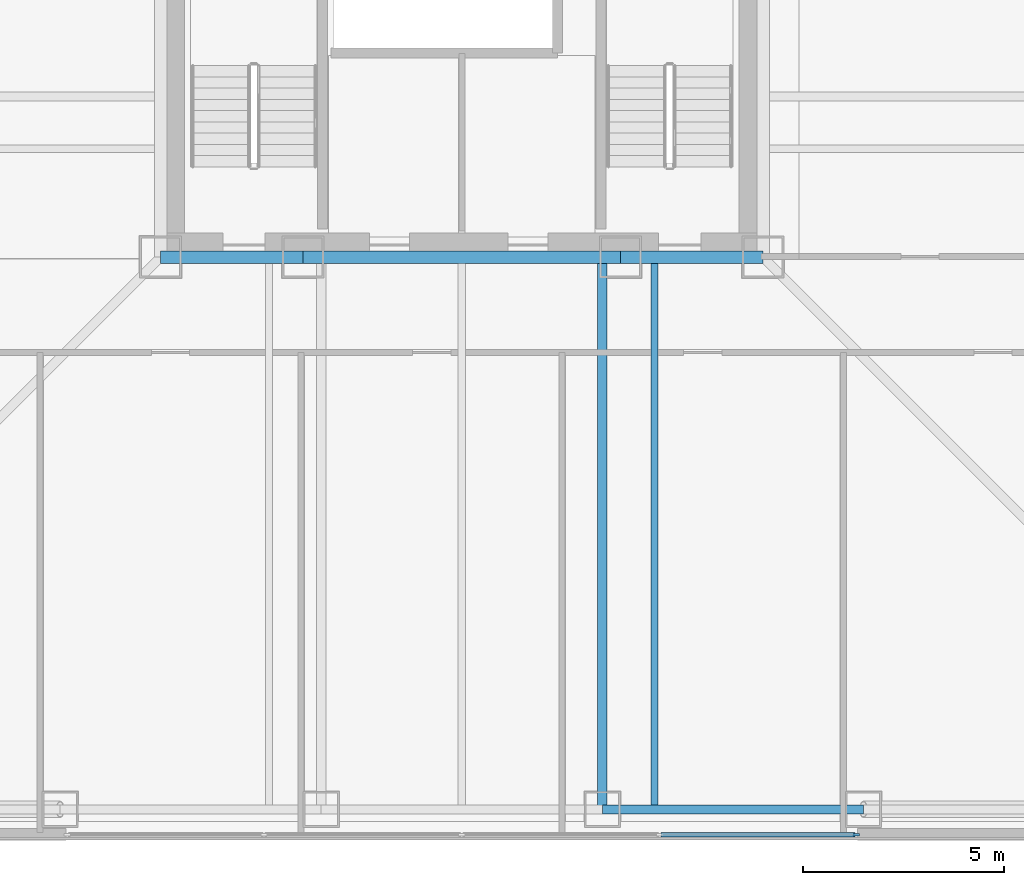
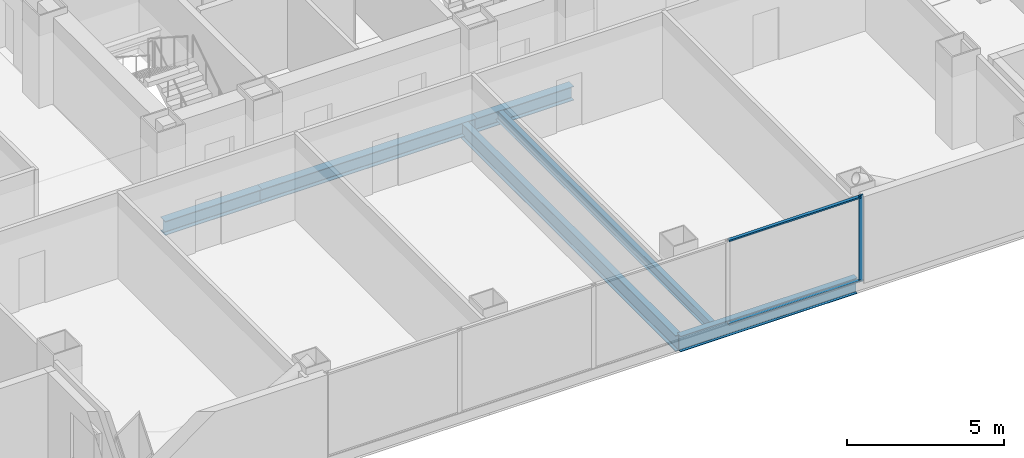
# One storey, part 3 of 13: 6 beams, 3 members, 1 element without a shape of its own.
"""IFC4 building model written with IfcOpenShell, lengths in metres."""

from ifc_helpers import new_model, si_unit, direction, frame, origin, origin_2d, place, context, subcontext, project, spatial, rectangle, i_section, extrude, material, layer, layer_set, material_profile, profile_set, type_object, element, aggregate, save


model = new_model("IFC4")

# Units and contexts
model_context = context("Model", 3, precision=1e-05, world=origin(), true_north=direction((0.0, 1.0)))
body_context = subcontext(model_context, "Body", "Model", "MODEL_VIEW")
ifc_project = project(units=[si_unit("LENGTHUNIT", "METRE"), si_unit("AREAUNIT", "SQUARE_METRE"), si_unit("VOLUMEUNIT", "CUBIC_METRE"), si_unit("PLANEANGLEUNIT", "RADIAN"), si_unit("MASSUNIT", "GRAM", prefix="KILO")], contexts=[model_context])

# Site, building, storey
site_placement = place(None, origin())
site = spatial("IfcSite", under=ifc_project, at=site_placement, CompositionType="ELEMENT")
building_placement = place(site_placement, origin())
building = spatial("IfcBuilding", under=site, at=building_placement, Name="Trevonay Congress Spire", CompositionType="ELEMENT")
storey_placement = place(building_placement, frame((0.0, 0.0, 112.0)))
storey = spatial("IfcBuildingStorey", under=building, at=storey_placement, Name="L28", CompositionType="ELEMENT", Elevation=112.0)

# Beams
ifc_material_1 = material(Name="Steel ASTM A572 Grade 50", Category="steel")
ifc_material_profile_1 = material_profile(ifc_material_1, i_section(OverallWidth=0.31201171875, OverallDepth=0.54296875, WebThickness=0.0126953125, FlangeThickness=0.020263671875, FilletRadius=0.014892578125, at=origin_2d()), Name="W530x150")
ifc_profile_set_1 = profile_set([ifc_material_profile_1], Name="Steel ASTM A572 Grade 50")
beam_type_1 = type_object("IfcBeamType", Name="BM-GIRD-W530X150", PredefinedType="BEAM", material=ifc_profile_set_1)
beam_1_placement = place(storey_placement, frame((-7.5, -7.5, -0.511474609375), z_axis=(1.0, 0.0, 0.0), x_axis=(0.0, 1.0, 0.0)))
element("IfcBeam", 1, at=beam_1_placement, inside=storey, type_object=beam_type_1, Name="L28 structural beam BM-L28-CR-S1", PredefinedType="BEAM", context=body_context, shape_type="SweptSolid", body=[
    extrude(i_section(OverallWidth=0.31201171875, OverallDepth=0.54296875, WebThickness=0.0126953125, FlangeThickness=0.020263671875, FilletRadius=0.014892578125, at=origin_2d()), origin(), (0.0, 0.0, 1.0), 3.550048828125),
])
beam_2_placement = place(storey_placement, frame((-3.949951171875, -7.5, -0.511474609375), z_axis=(1.0, 0.0, 0.0), x_axis=(0.0, 1.0, 0.0)))
element("IfcBeam", 2, at=beam_2_placement, inside=storey, type_object=beam_type_1, Name="L28 structural beam BM-L28-CR-S2", PredefinedType="BEAM", context=body_context, shape_type="SweptSolid", body=[
    extrude(i_section(OverallWidth=0.31201171875, OverallDepth=0.54296875, WebThickness=0.0126953125, FlangeThickness=0.020263671875, FilletRadius=0.014892578125, at=origin_2d()), origin(), (0.0, 0.0, 1.0), 7.89990234375),
])
beam_3_placement = place(storey_placement, frame((3.949951171875, -7.5, -0.511474609375), z_axis=(1.0, 0.0, 0.0), x_axis=(0.0, 1.0, 0.0)))
element("IfcBeam", 3, at=beam_3_placement, inside=storey, type_object=beam_type_1, Name="L28 structural beam BM-L28-CR-S3", PredefinedType="BEAM", context=body_context, shape_type="SweptSolid", body=[
    extrude(i_section(OverallWidth=0.31201171875, OverallDepth=0.54296875, WebThickness=0.0126953125, FlangeThickness=0.020263671875, FilletRadius=0.014892578125, at=origin_2d()), origin(), (0.0, 0.0, 1.0), 3.550048828125),
])
ifc_material_profile_2 = material_profile(ifc_material_1, i_section(OverallWidth=0.22998046875, OverallDepth=0.616943359375, WebThickness=0.01318359375, FlangeThickness=0.022216796875, FilletRadius=0.01611328125, at=origin_2d()), Name="W610x140")
ifc_profile_set_2 = profile_set([ifc_material_profile_2], Name="Steel ASTM A572 Grade 50")
beam_type_2 = type_object("IfcBeamType", Name="BM-GIRD-W610X140", PredefinedType="BEAM", material=ifc_profile_set_2)
beam_4_placement = place(storey_placement, frame((3.5, -7.5, -0.548583984375), z_axis=(0.0, -1.0, 0.0), x_axis=(1.0, 0.0, 0.0)))
element("IfcBeam", 4, at=beam_4_placement, inside=storey, type_object=beam_type_2, Name="L28 structural beam BM-L28-GS-P", PredefinedType="BEAM", context=body_context, shape_type="SweptSolid", body=[
    extrude(i_section(OverallWidth=0.22998046875, OverallDepth=0.616943359375, WebThickness=0.01318359375, FlangeThickness=0.022216796875, FilletRadius=0.01611328125, at=origin_2d()), origin(), (0.0, 0.0, 1.0), 13.75),
])
ifc_material_profile_3 = material_profile(ifc_material_1, i_section(OverallWidth=0.22802734375, OverallDepth=0.60791015625, WebThickness=0.01123046875, FlangeThickness=0.017333984375, FilletRadius=0.01611328125, at=origin_2d()), Name="W610x113")
ifc_profile_set_3 = profile_set([ifc_material_profile_3], Name="Steel ASTM A572 Grade 50")
beam_type_3 = type_object("IfcBeamType", Name="BM-RING-W610X113", PredefinedType="BEAM", material=ifc_profile_set_3)
beam_5_placement = place(storey_placement, frame((3.5, -21.25, -0.5439453125), z_axis=(1.0, 0.0, 0.0), x_axis=(0.0, 1.0, 0.0)))
element("IfcBeam", 5, at=beam_5_placement, inside=storey, type_object=beam_type_3, Name="L28 structural beam BM-L28-PS4", PredefinedType="BEAM", context=body_context, shape_type="SweptSolid", body=[
    extrude(i_section(OverallWidth=0.22802734375, OverallDepth=0.60791015625, WebThickness=0.01123046875, FlangeThickness=0.017333984375, FilletRadius=0.01611328125, at=origin_2d()), origin(), (0.0, 0.0, 1.0), 6.5),
])

# Curtain wall, members
ifc_material_2 = material(Name="Pale Anodised Aluminium EN AW-6063-T6", Category="aluminium")
ifc_layer = layer(ifc_material_2, 0.175048828125, Name="Pale Anodised Aluminium EN AW-6063-T6")
ifc_layer_set = layer_set([ifc_layer], Name="Pale Anodised Aluminium EN AW-6063-T6")
curtain_wall_type = type_object("IfcCurtainWallType", Name="CW-SYS03-CONGRESS-PALE-METAL", PredefinedType="NOTDEFINED", material=ifc_layer_set)
curtain_wall_placement = place(storey_placement, origin())
curtain_wall = element("IfcCurtainWall", 6, at=curtain_wall_placement, inside=storey, type_object=curtain_wall_type, Name="L28 S unitised curtain wall", PredefinedType="NOTDEFINED")
ifc_material_profile_4 = material_profile(ifc_material_2, rectangle(XDim=0.06005859375, YDim=0.159912109375, at=origin_2d()), Name="CW-MULLION-160-ALUMINIUM")
ifc_profile_set_4 = profile_set([ifc_material_profile_4], Name="Pale Anodised Aluminium EN AW-6063-T6")
member_type_1 = type_object("IfcMemberType", Name="CW-MULLION-160-ALUMINIUM", PredefinedType="MULLION", material=ifc_profile_set_4)
member_1_placement = place(storey_placement, frame((9.820068359375, -21.8798828125, 0.0), z_axis=(0.0, 0.0, 1.0), x_axis=(0.0, 1.0, 0.0)))
member_1 = element("IfcMember", 7, at=member_1_placement, type_object=member_type_1, Name="CW03 mullion 5", PredefinedType="MULLION", context=body_context, shape_type="SweptSolid", body=[
    extrude(rectangle(XDim=0.06005859375, YDim=0.159912109375, at=origin_2d()), origin(), (0.0, 0.0, 1.0), 3.360107421875),
])
ifc_material_profile_5 = material_profile(ifc_material_2, rectangle(XDim=0.1201171875, YDim=0.06005859375, at=origin_2d()), Name="CW-TRANSOM-120-ALUMINIUM")
ifc_profile_set_5 = profile_set([ifc_material_profile_5], Name="Pale Anodised Aluminium EN AW-6063-T6")
member_type_2 = type_object("IfcMemberType", Name="CW-TRANSOM-120-ALUMINIUM", PredefinedType="USERDEFINED", material=ifc_profile_set_5)
member_2_placement = place(storey_placement, frame((4.955078125, -21.8798828125, 0.06005859375), z_axis=(1.0, 0.0, 0.0), x_axis=(0.0, 1.0, 0.0)))
member_2 = element("IfcMember", 8, at=member_2_placement, type_object=member_type_2, Name="CW03 transom 4.1", ObjectType="TRANSOM", PredefinedType="USERDEFINED", context=body_context, shape_type="SweptSolid", body=[
    extrude(rectangle(XDim=0.1201171875, YDim=0.06005859375, at=origin_2d()), origin(), (0.0, 0.0, 1.0), 4.8349609375),
])
member_3_placement = place(storey_placement, frame((4.955078125, -21.8798828125, 3.300048828125), z_axis=(1.0, 0.0, 0.0), x_axis=(0.0, 1.0, 0.0)))
member_3 = element("IfcMember", 9, at=member_3_placement, type_object=member_type_2, Name="CW03 transom 4.2", ObjectType="TRANSOM", PredefinedType="USERDEFINED", context=body_context, shape_type="SweptSolid", body=[
    extrude(rectangle(XDim=0.1201171875, YDim=0.06005859375, at=origin_2d()), origin(), (0.0, 0.0, 1.0), 4.8349609375),
])
aggregate(curtain_wall, [member_1, member_2, member_3])

# Beam
ifc_material_profile_6 = material_profile(ifc_material_1, i_section(OverallWidth=0.177978515625, OverallDepth=0.406982421875, WebThickness=0.0078125, FlangeThickness=0.0126953125, FilletRadius=0.012939453125, at=origin_2d()), Name="W410x60")
ifc_profile_set_6 = profile_set([ifc_material_profile_6], Name="Steel ASTM A572 Grade 50")
beam_type_4 = type_object("IfcBeamType", Name="JS-COMP-W410X60", PredefinedType="JOIST", material=ifc_profile_set_6)
beam_6_placement = place(storey_placement, frame((4.800048828125, -21.25, -0.443603515625), z_axis=(0.0, 1.0, 0.0), x_axis=(-1.0, 0.0, 0.0)))
element("IfcBeam", 10, at=beam_6_placement, inside=storey, type_object=beam_type_4, Name="L28 structural beam JS-L28-NS-S3", PredefinedType="JOIST", context=body_context, shape_type="SweptSolid", body=[
    extrude(i_section(OverallWidth=0.177978515625, OverallDepth=0.406982421875, WebThickness=0.0078125, FlangeThickness=0.0126953125, FilletRadius=0.012939453125, at=origin_2d()), origin(), (0.0, 0.0, 1.0), 13.75),
])

save(model, "model.ifc")
